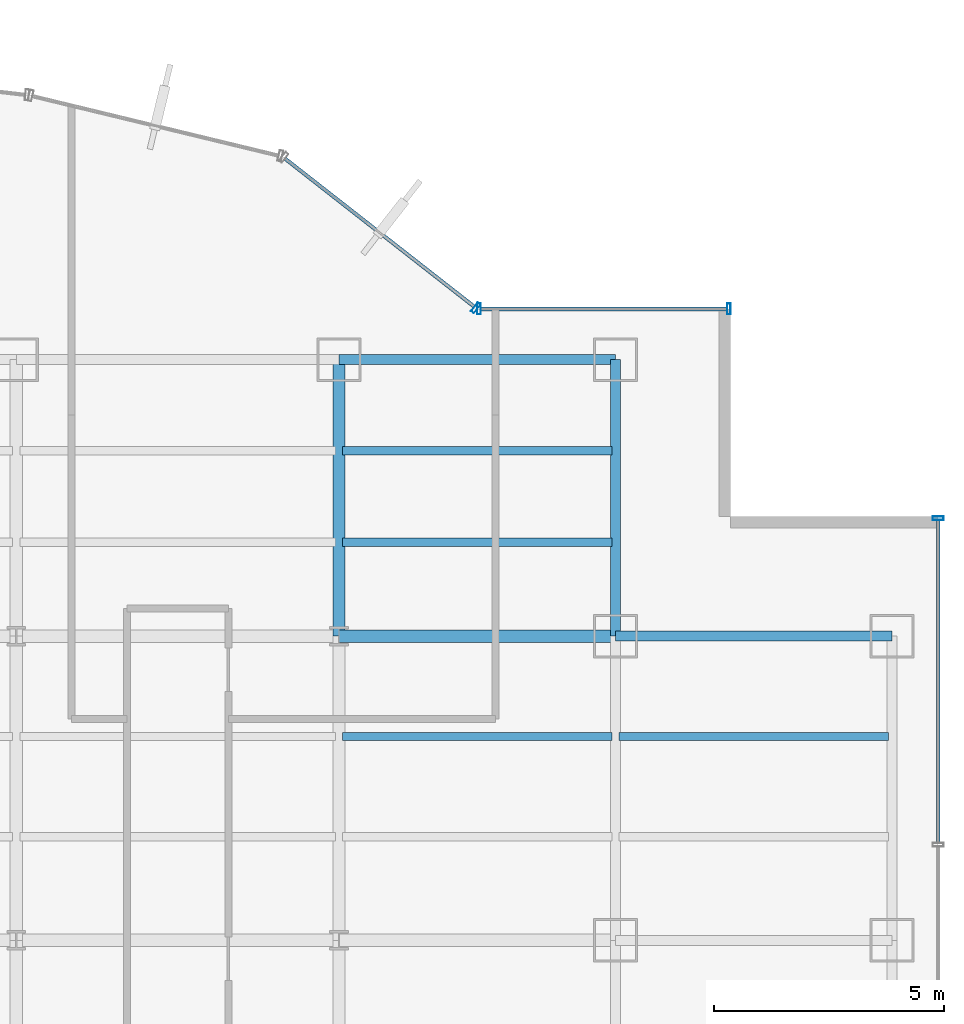
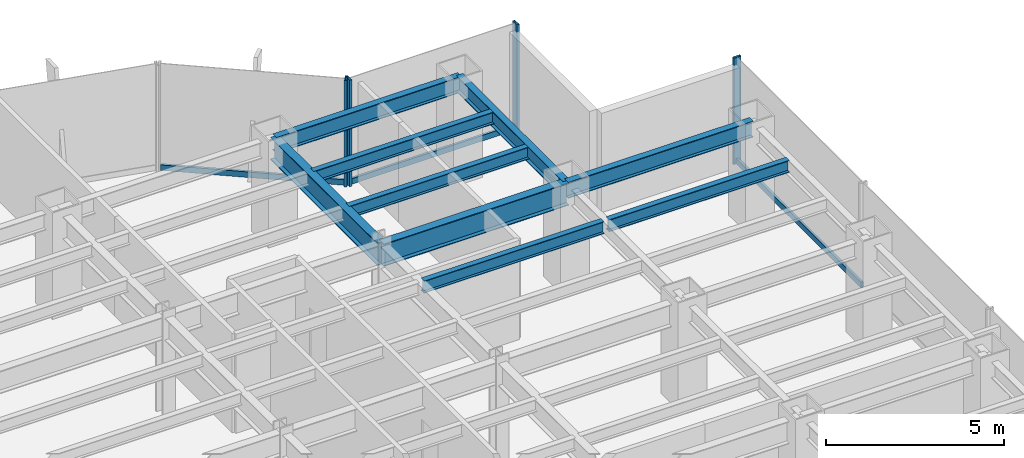
# One storey, part 15 of 22: 9 beams, 7 members, 3 elements without a shape of their own.
"""IFC4 building model written with IfcOpenShell, lengths in metres."""

from ifc_helpers import new_model, si_unit, derived_unit, direction, frame, origin, origin_2d, place, context, subcontext, project, spatial, hollow_rectangle, i_section, extrude, source, transform, mapped, material, material_profile, profile_set, type_object, element, aggregate, save


model = new_model("IFC4")

# Units and contexts
model_context = context("Model", 3, precision=1e-05, world=origin(), true_north=direction((0.0, 1.0)))
body_context = subcontext(model_context, "Body", "Model", "MODEL_VIEW")
ifc_project = project(units=[si_unit("LENGTHUNIT", "METRE"), si_unit("AREAUNIT", "SQUARE_METRE"), si_unit("VOLUMEUNIT", "CUBIC_METRE"), si_unit("PLANEANGLEUNIT", "RADIAN"), si_unit("MASSUNIT", "GRAM", prefix="KILO"), derived_unit("THERMALTRANSMITTANCEUNIT", [(si_unit("POWERUNIT", "WATT"), 1), (si_unit("LENGTHUNIT", "METRE"), -2), (si_unit("THERMODYNAMICTEMPERATUREUNIT", "KELVIN"), -1)])], contexts=[model_context])

# Site, building, storey
site_placement = place(None, origin())
site = spatial("IfcSite", under=ifc_project, at=site_placement, CompositionType="ELEMENT")
building_placement = place(site_placement, origin())
building = spatial("IfcBuilding", under=site, at=building_placement, Name="Skarnbrae Concourse Arena and Tower", CompositionType="ELEMENT")
storey_placement = place(building_placement, frame((0.0, 0.0, 76.300048828125)))
storey = spatial("IfcBuildingStorey", under=building, at=storey_placement, Name="L18", CompositionType="ELEMENT", Elevation=76.300048828125)

# Beams
ifc_material_1 = material(Name="Steel CSA G40.21 350W", Category="steel")
ifc_material_profile_1 = material_profile(ifc_material_1, i_section(OverallWidth=0.214111328125, OverallDepth=0.549072265625, WebThickness=0.0146484375, FlangeThickness=0.023681640625, at=origin_2d()), Name="W530X138")
ifc_profile_set_1 = profile_set([ifc_material_profile_1], Name="Steel CSA G40.21 350W")
beam_type_1 = type_object("IfcBeamType", Name="BM-SPAN-W530X138", PredefinedType="SPANDREL", material=ifc_profile_set_1)
shared_shape_1 = source(origin(), body_context, "Body", "SweptSolid", [
    extrude(i_section(OverallWidth=0.214111328125, OverallDepth=0.549072265625, WebThickness=0.0146484375, FlangeThickness=0.023681640625, at=origin_2d()), origin(), (0.0, 0.0, 1.0), 6.0),
])
for number, where, z_axis, x_axis, name in (
    (1, (55.0, 34.39990234375, 3.12548828125), (1.0, 0.0, 0.0), (0.0, 1.0, 0.0), "L18 Perimeter spandrel Y34.4-9"),
    (2, (49.0, 40.39990234375, 3.12548828125), (1.0, 0.0, 0.0), (0.0, 1.0, 0.0), "L18 Perimeter spandrel Y40.4-7"),
    (3, (55.0, 34.39990234375, 3.12548828125), (0.0, 1.0, 0.0), (-1.0, 0.0, 0.0), "L18 Perimeter spandrel X55.0-5"),
):
    element("IfcBeam", number, at=place(storey_placement, frame(where, z_axis=z_axis, x_axis=x_axis)), inside=storey, type_object=beam_type_1, Name=name, PredefinedType="SPANDREL", context=body_context, shape_type="MappedRepresentation", body=[
        mapped(shared_shape_1, transform((0.0, 0.0, 0.0))),
    ])
ifc_material_profile_2 = material_profile(ifc_material_1, i_section(OverallWidth=0.26806640625, OverallDepth=0.77001953125, WebThickness=0.015625, FlangeThickness=0.025390625, at=origin_2d()), Name="W760X196")
ifc_profile_set_2 = profile_set([ifc_material_profile_2], Name="Steel CSA G40.21 350W")
beam_type_2 = type_object("IfcBeamType", Name="BM-GIRD-W760X196", PredefinedType="BEAM", material=ifc_profile_set_2)
shared_shape_2 = source(origin(), body_context, "Body", "SweptSolid", [
    extrude(i_section(OverallWidth=0.26806640625, OverallDepth=0.77001953125, WebThickness=0.015625, FlangeThickness=0.025390625, at=origin_2d()), origin(), (0.0, 0.0, 1.0), 6.0),
])
for number, where, z_axis, x_axis, name in (
    (4, (49.0, 34.39990234375, 3.014892578125), (1.0, 0.0, 0.0), (0.0, 1.0, 0.0), "L18 Primary E-W girder Y34.4-8"),
    (5, (49.0, 34.39990234375, 3.014892578125), (0.0, 1.0, 0.0), (-1.0, 0.0, 0.0), "L18 Primary N-S girder X49.0-5"),
):
    element("IfcBeam", number, at=place(storey_placement, frame(where, z_axis=z_axis, x_axis=x_axis)), inside=storey, type_object=beam_type_2, Name=name, PredefinedType="BEAM", context=body_context, shape_type="MappedRepresentation", body=[
        mapped(shared_shape_2, transform((0.0, 0.0, 0.0))),
    ])
ifc_material_profile_3 = material_profile(ifc_material_1, i_section(OverallWidth=0.180908203125, OverallDepth=0.4169921875, WebThickness=0.010986328125, FlangeThickness=0.018310546875, at=origin_2d()), Name="W410X85")
ifc_profile_set_3 = profile_set([ifc_material_profile_3], Name="Steel CSA G40.21 350W")
beam_type_3 = type_object("IfcBeamType", Name="BM-JOIST-W410X85", PredefinedType="JOIST", material=ifc_profile_set_3)
shared_shape_3 = source(origin(), body_context, "Body", "SweptSolid", [
    extrude(i_section(OverallWidth=0.180908203125, OverallDepth=0.4169921875, WebThickness=0.010986328125, FlangeThickness=0.018310546875, at=origin_2d()), origin(), (0.0, 0.0, 1.0), 5.83984375),
])
for number, where, z_axis, x_axis, name in (
    (6, (49.080078125, 32.221923828125, 3.19140625), (1.0, 0.0, 0.0), (0.0, 1.0, 0.0), "L18 Secondary floor joist 3.2.8"),
    (7, (55.080078125, 32.221923828125, 3.19140625), (1.0, 0.0, 0.0), (0.0, 1.0, 0.0), "L18 Secondary floor joist 3.2.9"),
    (8, (49.080078125, 36.43994140625, 3.19140625), (1.0, 0.0, 0.0), (0.0, 1.0, 0.0), "L18 Secondary floor joist 4.1.7"),
    (9, (49.080078125, 38.419921875, 3.19140625), (1.0, 0.0, 0.0), (0.0, 1.0, 0.0), "L18 Secondary floor joist 4.2.7"),
):
    element("IfcBeam", number, at=place(storey_placement, frame(where, z_axis=z_axis, x_axis=x_axis)), inside=storey, type_object=beam_type_3, Name=name, PredefinedType="JOIST", context=body_context, shape_type="MappedRepresentation", body=[
        mapped(shared_shape_3, transform((0.0, 0.0, 0.0))),
    ])

# Curtain wall, member
ifc_material_2 = material(Name="Bronze anodised aluminium 6063-T6", Category="aluminium")
curtain_wall_type = type_object("IfcCurtainWallType", Name="CW-SYS-02-LOWZONE", PredefinedType="USERDEFINED", material=ifc_material_2)
curtain_wall_1_placement = place(storey_placement, origin())
curtain_wall_1 = element("IfcCurtainWall", 10, at=curtain_wall_1_placement, inside=storey, type_object=curtain_wall_type, Name="L18 Unitised curtain wall CW-L18-E04", ObjectType="UNITISED CURTAIN WALL", PredefinedType="USERDEFINED")
ifc_material_profile_4 = material_profile(ifc_material_2, hollow_rectangle(XDim=0.080078125, YDim=0.239990234375, WallThickness=0.0048828125, at=origin_2d()), Name="ALU-MULL-80X240")
ifc_profile_set_4 = profile_set([ifc_material_profile_4], Name="Bronze anodised aluminium 6063-T6")
member_type_1 = type_object("IfcMemberType", Name="CWM-CW-02", PredefinedType="MULLION", material=ifc_profile_set_4)
shared_shape_4 = source(origin(), body_context, "Body", "SweptSolid", [
    extrude(hollow_rectangle(XDim=0.080078125, YDim=0.239990234375, WallThickness=0.0048828125, at=origin_2d()), origin(), (0.0, 0.0, 1.0), 3.64990234375),
])
member_1_placement = place(storey_placement, frame((62.0, 36.9599609375, 0.0), z_axis=(0.0, 0.0, 1.0), x_axis=(0.0, 1.0, 0.0)))
member_1 = element("IfcMember", 11, at=member_1_placement, type_object=member_type_1, Name="CW-L18-E04 Mullion 5", PredefinedType="MULLION", context=body_context, shape_type="MappedRepresentation", body=[
    mapped(shared_shape_4, transform((0.0, 0.0, 0.0))),
])

# Curtain wall, members
curtain_wall_2_placement = place(storey_placement, origin())
curtain_wall_2 = element("IfcCurtainWall", 12, at=curtain_wall_2_placement, inside=storey, type_object=curtain_wall_type, Name="L18 Unitised curtain wall CW-L18-E07", ObjectType="UNITISED CURTAIN WALL", PredefinedType="USERDEFINED")
member_2_placement = place(storey_placement, frame((57.4599609375, 41.5, 0.0), z_axis=(0.0, 0.0, 1.0), x_axis=(-1.0, 0.0, 0.0)))
member_2 = element("IfcMember", 13, at=member_2_placement, type_object=member_type_1, Name="CW-L18-E07 Mullion 1", PredefinedType="MULLION", context=body_context, shape_type="MappedRepresentation", body=[
    mapped(shared_shape_4, transform((0.0, 0.0, 0.0))),
])
member_3_placement = place(storey_placement, frame((52.0400390625, 41.5, 0.0), z_axis=(0.0, 0.0, 1.0), x_axis=(-1.0, 0.0, 0.0)))
member_3 = element("IfcMember", 14, at=member_3_placement, type_object=member_type_1, Name="CW-L18-E07 Mullion 2", PredefinedType="MULLION", context=body_context, shape_type="MappedRepresentation", body=[
    mapped(shared_shape_4, transform((0.0, 0.0, 0.0))),
])

# Curtain wall, member
curtain_wall_3_placement = place(storey_placement, origin())
curtain_wall_3 = element("IfcCurtainWall", 15, at=curtain_wall_3_placement, inside=storey, type_object=curtain_wall_type, Name="L18 Unitised curtain wall CW-L18-E08", ObjectType="UNITISED CURTAIN WALL", PredefinedType="USERDEFINED")
member_4_placement = place(storey_placement, frame((51.968505859375, 41.524658203125, 0.0), z_axis=(0.0, 0.0, 1.0), x_axis=(-0.787651726054, 0.616120733658, 0.0)))
member_4 = element("IfcMember", 16, at=member_4_placement, type_object=member_type_1, Name="CW-L18-E08 Mullion 1", PredefinedType="MULLION", context=body_context, shape_type="MappedRepresentation", body=[
    mapped(shared_shape_4, transform((0.0, 0.0, 0.0))),
])

# Member
ifc_material_profile_5 = material_profile(ifc_material_2, hollow_rectangle(XDim=0.080078125, YDim=0.18994140625, WallThickness=0.0048828125, at=origin_2d()), Name="ALU-TRAN-80X190")
ifc_profile_set_5 = profile_set([ifc_material_profile_5], Name="Bronze anodised aluminium 6063-T6")
member_type_2 = type_object("IfcMemberType", Name="CWT-CW-02", PredefinedType="USERDEFINED", material=ifc_profile_set_5)
shared_shape_5 = source(origin(), body_context, "Body", "SweptSolid", [
    extrude(hollow_rectangle(XDim=0.080078125, YDim=0.18994140625, WallThickness=0.0048828125, at=origin_2d()), origin(), (0.0, 0.0, 1.0), 7.0048828125),
])
member_5_placement = place(storey_placement, frame((62.0, 29.9150390625, 0.094970703125), z_axis=(0.0, 1.0, 0.0), x_axis=(-1.0, 0.0, 0.0)))
member_5 = element("IfcMember", 17, at=member_5_placement, type_object=member_type_2, Name="CW-L18-E04 Transom 4", ObjectType="TRANSOM", PredefinedType="USERDEFINED", context=body_context, shape_type="MappedRepresentation", body=[
    mapped(shared_shape_5, transform((0.0, 0.0, 0.0))),
])

aggregate(curtain_wall_1, [member_1, member_5])

shared_shape_6 = source(origin(), body_context, "Body", "SweptSolid", [
    extrude(hollow_rectangle(XDim=0.080078125, YDim=0.18994140625, WallThickness=0.0048828125, at=origin_2d()), origin(), (0.0, 0.0, 1.0), 5.33984375),
])
member_6_placement = place(storey_placement, frame((57.419921875, 41.5, 0.094970703125), z_axis=(-1.0, 0.0, 0.0), x_axis=(0.0, -1.0, 0.0)))
member_6 = element("IfcMember", 18, at=member_6_placement, type_object=member_type_2, Name="CW-L18-E07 Transom 1", ObjectType="TRANSOM", PredefinedType="USERDEFINED", context=body_context, shape_type="MappedRepresentation", body=[
    mapped(shared_shape_6, transform((0.0, 0.0, 0.0))),
])

aggregate(curtain_wall_2, [member_2, member_3, member_6])

shared_shape_7 = source(origin(), body_context, "Body", "SweptSolid", [
    extrude(hollow_rectangle(XDim=0.080078125, YDim=0.18994140625, WallThickness=0.0048828125, at=origin_2d()), origin(), (0.0, 0.0, 1.0), 5.215087890625),
])
member_7_placement = place(storey_placement, frame((51.93701171875, 41.54931640625, 0.094970703125), z_axis=(-0.787650196702, 0.616122688784, 0.0), x_axis=(-0.616122688784, -0.787650196702, 0.0)))
member_7 = element("IfcMember", 19, at=member_7_placement, type_object=member_type_2, Name="CW-L18-E08 Transom 1", ObjectType="TRANSOM", PredefinedType="USERDEFINED", context=body_context, shape_type="MappedRepresentation", body=[
    mapped(shared_shape_7, transform((0.0, 0.0, 0.0))),
])

aggregate(curtain_wall_3, [member_4, member_7])

save(model, "model.ifc")
